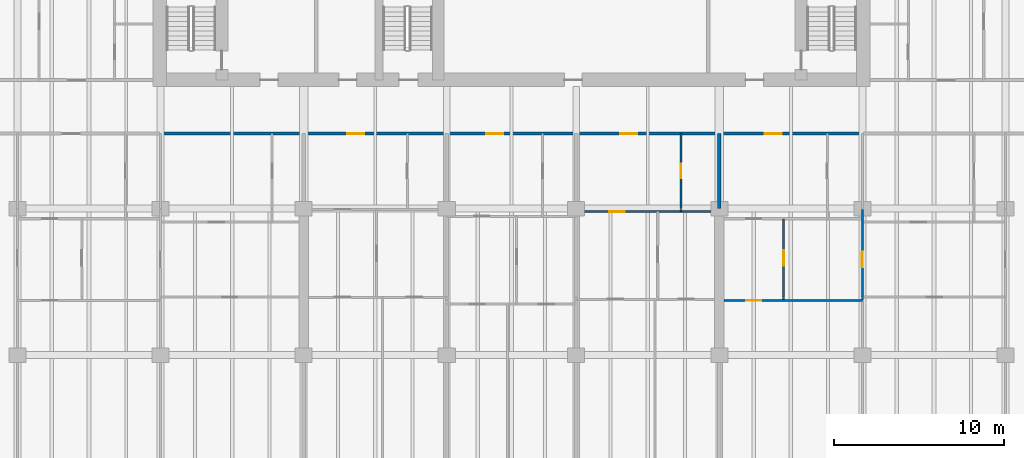
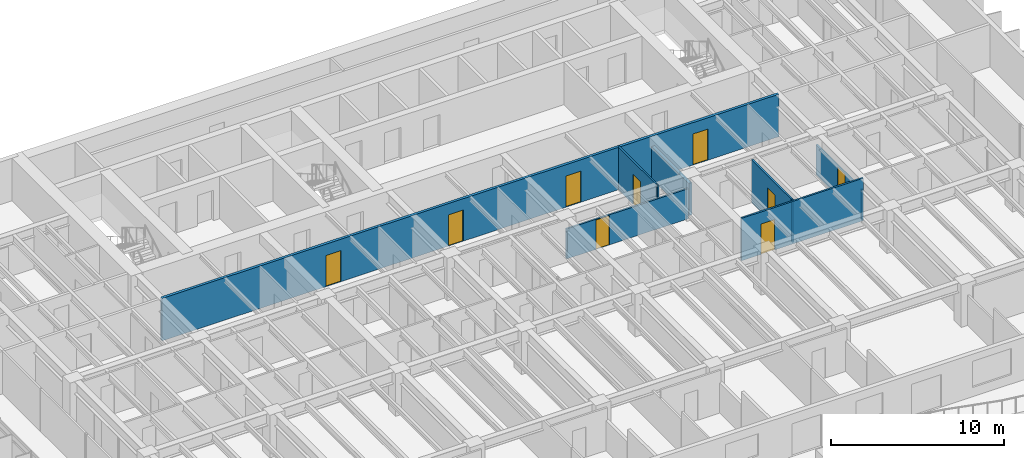
# One storey, part 10 of 19: 10 walls, 9 doors, 9 openings.
"""IFC4 building model written with IfcOpenShell, lengths in metres."""

from ifc_helpers import new_model, si_unit, direction, frame, frame_2d, origin, place, context, subcontext, project, spatial, rectangle, extrude, material, layer, layer_set, type_object, element, fill, save


model = new_model("IFC4")

# Units and contexts
model_context = context("Model", 3, precision=1e-05, world=origin(), true_north=direction((0.0, 1.0)))
body_context = subcontext(model_context, "Body", "Model", "MODEL_VIEW")
ifc_project = project(units=[si_unit("LENGTHUNIT", "METRE"), si_unit("AREAUNIT", "SQUARE_METRE"), si_unit("VOLUMEUNIT", "CUBIC_METRE"), si_unit("PLANEANGLEUNIT", "RADIAN"), si_unit("MASSUNIT", "GRAM", prefix="KILO")], contexts=[model_context])

# Site, building, storey
site_placement = place(None, origin())
site = spatial("IfcSite", under=ifc_project, at=site_placement, CompositionType="ELEMENT")
building_placement = place(site_placement, origin())
building = spatial("IfcBuilding", under=site, at=building_placement, Name="Caelmar Bay Residences", CompositionType="ELEMENT")
storey_placement = place(building_placement, frame((0.0, 0.0, 94.5)))
storey = spatial("IfcBuildingStorey", under=building, at=storey_placement, Name="L25", CompositionType="ELEMENT", Elevation=94.5)

# Wall, openings, doors
ifc_material_1 = material(Name="Double-stud acoustic fire-rated gypsum partition 180 mm")
ifc_layer_1 = layer(ifc_material_1, 0.179931640625)
ifc_layer_set_1 = layer_set([ifc_layer_1], Name="Double-stud acoustic fire-rated gypsum partition 180 mm")
wall_type_1 = type_object("IfcWallType", Name="W-COR-200", PredefinedType="PARTITIONING", material=ifc_layer_set_1)
wall_1_placement = place(storey_placement, frame((18.300048828125, 33.800048828125, 0.0), z_axis=(0.0, 0.0, 1.0), x_axis=(1.0, 0.0, 0.0)))
wall_1 = element("IfcWall", 1, at=wall_1_placement, inside=storey, type_object=wall_type_1, Name="L25 Partition Wall H120", PredefinedType="PARTITIONING", context=body_context, shape_type="SweptSolid", body=[
    extrude(rectangle(XDim=41.199951171875, YDim=0.179931640625, at=frame_2d((20.60009765625, 0.0))), origin(), (0.0, 0.0, 1.0), 3.0),
])
opening_1_placement = place(wall_1_placement, frame((10.945556640625, 0.0, 0.0)))
opening_1 = element("IfcOpeningElement", 2, at=opening_1_placement, cuts=wall_1, Name="Opening D-L25-130", PredefinedType="OPENING", context=body_context, shape_type="SweptSolid", body=[
    extrude(rectangle(XDim=1.0, YDim=2.199951171875, at=frame_2d((0.5, 1.10009765625))), frame((0.0, 0.099853515625, 0.0), z_axis=(0.0, -1.0, 0.0), x_axis=(1.0, 0.0, 0.0)), (0.0, 0.0, 1.0), 0.199951171875),
])
opening_2_placement = place(wall_1_placement, frame((19.112548828125, 0.0, 0.0)))
opening_2 = element("IfcOpeningElement", 3, at=opening_2_placement, cuts=wall_1, Name="Opening D-L25-137", PredefinedType="OPENING", context=body_context, shape_type="SweptSolid", body=[
    extrude(rectangle(XDim=1.0, YDim=2.199951171875, at=frame_2d((0.5, 1.10009765625))), frame((0.0, 0.099853515625, 0.0), z_axis=(0.0, -1.0, 0.0), x_axis=(1.0, 0.0, 0.0)), (0.0, 0.0, 1.0), 0.199951171875),
])
opening_3_placement = place(wall_1_placement, frame((26.9755859375, 0.0, 0.0)))
opening_3 = element("IfcOpeningElement", 4, at=opening_3_placement, cuts=wall_1, Name="Opening D-L25-144", PredefinedType="OPENING", context=body_context, shape_type="SweptSolid", body=[
    extrude(rectangle(XDim=1.0, YDim=2.199951171875, at=frame_2d((0.5, 1.10009765625))), frame((0.0, 0.099853515625, 0.0), z_axis=(0.0, -1.0, 0.0), x_axis=(1.0, 0.0, 0.0)), (0.0, 0.0, 1.0), 0.199951171875),
])
opening_4_placement = place(wall_1_placement, frame((35.469970703125, 0.0, 0.0)))
opening_4 = element("IfcOpeningElement", 5, at=opening_4_placement, cuts=wall_1, Name="Opening D-L25-151", PredefinedType="OPENING", context=body_context, shape_type="SweptSolid", body=[
    extrude(rectangle(XDim=1.0, YDim=2.199951171875, at=frame_2d((0.5, 1.10009765625))), frame((0.0, 0.099853515625, 0.0), z_axis=(0.0, -1.0, 0.0), x_axis=(1.0, 0.0, 0.0)), (0.0, 0.0, 1.0), 0.199951171875),
])
ifc_material_2 = material(Name="Fire-rated steel and walnut architectural door assembly", Category="steel")
ifc_layer_2 = layer(ifc_material_2, 0.050048828125)
ifc_layer_set_2 = layer_set([ifc_layer_2], Name="Fire-rated steel and walnut architectural door assembly")
door_type_1 = type_object("IfcDoorType", Name="D-UNIT-1000", OperationType="NOTDEFINED", PredefinedType="DOOR", material=ifc_layer_set_2)
door_1_placement = place(opening_1_placement, origin())
door_1 = element("IfcDoor", 6, at=door_1_placement, inside=storey, type_object=door_type_1, Name="L25 Residence 02 Apartment Hall Door", OperationType="SINGLE_SWING_LEFT", OverallHeight=2.199951171875, OverallWidth=1.0, PredefinedType="DOOR", context=body_context, shape_type="SweptSolid", body=[
    extrude(rectangle(XDim=1.0, YDim=2.199951171875, at=frame_2d((0.5, 1.10009765625))), frame((0.0, 0.02490234375, 0.0), z_axis=(0.0, -1.0, 0.0), x_axis=(1.0, 0.0, 0.0)), (0.0, 0.0, 1.0), 0.050048828125),
])
fill(opening_1, door_1)
door_2_placement = place(opening_2_placement, origin())
door_2 = element("IfcDoor", 7, at=door_2_placement, inside=storey, type_object=door_type_1, Name="L25 Residence 03 Apartment Hall Door", OperationType="SINGLE_SWING_RIGHT", OverallHeight=2.199951171875, OverallWidth=1.0, PredefinedType="DOOR", context=body_context, shape_type="SweptSolid", body=[
    extrude(rectangle(XDim=1.0, YDim=2.199951171875, at=frame_2d((0.5, 1.10009765625))), frame((0.0, 0.02490234375, 0.0), z_axis=(0.0, -1.0, 0.0), x_axis=(1.0, 0.0, 0.0)), (0.0, 0.0, 1.0), 0.050048828125),
])
fill(opening_2, door_2)
door_3_placement = place(opening_3_placement, origin())
door_3 = element("IfcDoor", 8, at=door_3_placement, inside=storey, type_object=door_type_1, Name="L25 Residence 04 Apartment Hall Door", OperationType="SINGLE_SWING_LEFT", OverallHeight=2.199951171875, OverallWidth=1.0, PredefinedType="DOOR", context=body_context, shape_type="SweptSolid", body=[
    extrude(rectangle(XDim=1.0, YDim=2.199951171875, at=frame_2d((0.5, 1.10009765625))), frame((0.0, 0.02490234375, 0.0), z_axis=(0.0, -1.0, 0.0), x_axis=(1.0, 0.0, 0.0)), (0.0, 0.0, 1.0), 0.050048828125),
])
fill(opening_3, door_3)
door_4_placement = place(opening_4_placement, origin())
door_4 = element("IfcDoor", 9, at=door_4_placement, inside=storey, type_object=door_type_1, Name="L25 Residence 05 Apartment Hall Door", OperationType="SINGLE_SWING_RIGHT", OverallHeight=2.199951171875, OverallWidth=1.0, PredefinedType="DOOR", context=body_context, shape_type="SweptSolid", body=[
    extrude(rectangle(XDim=1.0, YDim=2.199951171875, at=frame_2d((0.5, 1.10009765625))), frame((0.0, 0.02490234375, 0.0), z_axis=(0.0, -1.0, 0.0), x_axis=(1.0, 0.0, 0.0)), (0.0, 0.0, 1.0), 0.050048828125),
])
fill(opening_4, door_4)

# Wall
ifc_material_3 = material(Name="Acoustic metal-stud gypsum partition 120 mm")
ifc_layer_3 = layer(ifc_material_3, 0.1201171875)
ifc_layer_set_3 = layer_set([ifc_layer_3], Name="Acoustic metal-stud gypsum partition 120 mm")
wall_type_2 = type_object("IfcWallType", Name="W-PRT-120", PredefinedType="PARTITIONING", material=ifc_layer_set_3)
wall_2_placement = place(storey_placement, frame((48.85107421875, 29.219970703125, 0.0), z_axis=(0.0, 0.0, 1.0), x_axis=(0.0, 1.0, 0.0)))
element("IfcWall", 10, at=wall_2_placement, inside=storey, type_object=wall_type_2, Name="L25 Partition Wall V065", PredefinedType="PARTITIONING", context=body_context, shape_type="SweptSolid", body=[
    extrude(rectangle(XDim=0.1201171875, YDim=0.1201171875, at=frame_2d((0.06005859375, 0.0))), origin(), (0.0, 0.0, 1.0), 3.0),
])

# Wall, opening, door
wall_3_placement = place(storey_placement, frame((48.85107421875, 29.39990234375, 0.0), z_axis=(0.0, 0.0, 1.0), x_axis=(0.0, 1.0, 0.0)))
wall_3 = element("IfcWall", 11, at=wall_3_placement, inside=storey, type_object=wall_type_2, Name="L25 Partition Wall V066", PredefinedType="PARTITIONING", context=body_context, shape_type="SweptSolid", body=[
    extrude(rectangle(XDim=4.400146484375, YDim=0.1201171875, at=frame_2d((2.2001953125, 0.0))), origin(), (0.0, 0.0, 1.0), 3.0),
])
opening_5_placement = place(wall_3_placement, frame((1.77490234375, 0.0, 0.0)))
opening_5 = element("IfcOpeningElement", 12, at=opening_5_placement, cuts=wall_3, Name="Opening D-L25-145", PredefinedType="OPENING", context=body_context, shape_type="SweptSolid", body=[
    extrude(rectangle(XDim=0.85009765625, YDim=2.10009765625, at=frame_2d((0.425048828125, 1.050048828125))), frame((0.0, 0.070068359375, 0.0), z_axis=(0.0, -1.0, 0.0), x_axis=(1.0, 0.0, 0.0)), (0.0, 0.0, 1.0), 0.14013671875),
])
ifc_material_4 = material(Name="Solid walnut timber interior door leaf and frame", Category="wood")
ifc_layer_4 = layer(ifc_material_4, 0.050048828125)
ifc_layer_set_4 = layer_set([ifc_layer_4], Name="Solid walnut timber interior door leaf and frame")
door_type_2 = type_object("IfcDoorType", Name="D-BATH-850", OperationType="NOTDEFINED", PredefinedType="DOOR", material=ifc_layer_set_4)
door_5_placement = place(opening_5_placement, origin())
door_5 = element("IfcDoor", 13, at=door_5_placement, inside=storey, type_object=door_type_2, Name="L25 Residence 04 Bathroom Door", OperationType="SINGLE_SWING_RIGHT", OverallHeight=2.10009765625, OverallWidth=0.85009765625, PredefinedType="DOOR", context=body_context, shape_type="SweptSolid", body=[
    extrude(rectangle(XDim=0.85009765625, YDim=2.10009765625, at=frame_2d((0.425048828125, 1.050048828125))), frame((0.0, 0.02490234375, 0.0), z_axis=(0.0, -1.0, 0.0), x_axis=(1.0, 0.0, 0.0)), (0.0, 0.0, 1.0), 0.050048828125),
])
fill(opening_5, door_5)

# Wall
wall_4_placement = place(storey_placement, frame((54.8798828125, 24.070068359375, 0.0), z_axis=(0.0, 0.0, 1.0), x_axis=(0.0, 1.0, 0.0)))
element("IfcWall", 14, at=wall_4_placement, inside=storey, type_object=wall_type_2, Name="L25 Partition Wall V073", PredefinedType="PARTITIONING", context=body_context, shape_type="SweptSolid", body=[
    extrude(rectangle(XDim=0.119873046875, YDim=0.1201171875, at=frame_2d((0.06005859375, 0.0))), origin(), (0.0, 0.0, 1.0), 3.0),
])

# Wall, opening, door
wall_5_placement = place(storey_placement, frame((54.8798828125, 24.199951171875, 0.0), z_axis=(0.0, 0.0, 1.0), x_axis=(0.0, 1.0, 0.0)))
wall_5 = element("IfcWall", 15, at=wall_5_placement, inside=storey, type_object=wall_type_2, Name="L25 Partition Wall V074", PredefinedType="PARTITIONING", context=body_context, shape_type="SweptSolid", body=[
    extrude(rectangle(XDim=4.60009765625, YDim=0.1201171875, at=frame_2d((2.300048828125, 0.0))), origin(), (0.0, 0.0, 1.0), 3.0),
])
opening_6_placement = place(wall_5_placement, frame((1.85009765625, 0.0, 0.0)))
opening_6 = element("IfcOpeningElement", 16, at=opening_6_placement, cuts=wall_5, Name="Opening D-L25-154", PredefinedType="OPENING", context=body_context, shape_type="SweptSolid", body=[
    extrude(rectangle(XDim=0.89990234375, YDim=2.14990234375, at=frame_2d((0.449951171875, 1.074951171875))), frame((0.0, 0.070068359375, 0.0), z_axis=(0.0, -1.0, 0.0), x_axis=(1.0, 0.0, 0.0)), (0.0, 0.0, 1.0), 0.14013671875),
])
ifc_layer_5 = layer(ifc_material_4, 0.050048828125)
ifc_layer_set_5 = layer_set([ifc_layer_5], Name="Solid walnut timber interior door leaf and frame")
door_type_3 = type_object("IfcDoorType", Name="D-ROOM-900", OperationType="NOTDEFINED", PredefinedType="DOOR", material=ifc_layer_set_5)
door_6_placement = place(opening_6_placement, origin())
door_6 = element("IfcDoor", 17, at=door_6_placement, inside=storey, type_object=door_type_3, Name="L25 Residence 05 Kitchen Door", OperationType="SINGLE_SWING_LEFT", OverallHeight=2.14990234375, OverallWidth=0.89990234375, PredefinedType="DOOR", context=body_context, shape_type="SweptSolid", body=[
    extrude(rectangle(XDim=0.89990234375, YDim=2.14990234375, at=frame_2d((0.449951171875, 1.074951171875))), frame((0.0, 0.02490234375, 0.0), z_axis=(0.0, -1.0, 0.0), x_axis=(1.0, 0.0, 0.0)), (0.0, 0.0, 1.0), 0.050048828125),
])
fill(opening_6, door_6)

# Wall
wall_6_placement = place(storey_placement, frame((59.5, 24.070068359375, 0.0), z_axis=(0.0, 0.0, 1.0), x_axis=(0.0, 1.0, 0.0)))
element("IfcWall", 18, at=wall_6_placement, inside=storey, type_object=wall_type_2, Name="L25 Partition Wall V080", PredefinedType="PARTITIONING", context=body_context, shape_type="SweptSolid", body=[
    extrude(rectangle(XDim=0.119873046875, YDim=0.1201171875, at=frame_2d((0.06005859375, 0.0))), origin(), (0.0, 0.0, 1.0), 2.1240234375),
])

# Wall, opening, door
wall_7_placement = place(storey_placement, frame((59.5, 24.199951171875, 0.0), z_axis=(0.0, 0.0, 1.0), x_axis=(0.0, 1.0, 0.0)))
wall_7 = element("IfcWall", 19, at=wall_7_placement, inside=storey, type_object=wall_type_2, Name="L25 Partition Wall V081", PredefinedType="PARTITIONING", context=body_context, shape_type="SweptSolid", body=[
    extrude(rectangle(XDim=5.14013671875, YDim=0.1201171875, at=frame_2d((2.570068359375, 0.0))), origin(), (0.0, 0.0, 1.0), 2.1240234375),
])
opening_7_placement = place(wall_7_placement, frame((1.75, 0.0, 0.0)))
opening_7 = element("IfcOpeningElement", 20, at=opening_7_placement, cuts=wall_7, Name="Opening D-L25-156", PredefinedType="OPENING", context=body_context, shape_type="SweptSolid", body=[
    extrude(rectangle(XDim=0.89990234375, YDim=2.073974609375, at=frame_2d((0.449951171875, 1.037109375))), frame((0.0, 0.070068359375, 0.0), z_axis=(0.0, -1.0, 0.0), x_axis=(1.0, 0.0, 0.0)), (0.0, 0.0, 1.0), 0.14013671875),
])
door_7_placement = place(opening_7_placement, origin())
door_7 = element("IfcDoor", 21, at=door_7_placement, inside=storey, type_object=door_type_3, Name="L25 Residence 05 Library Study 1 Door", OperationType="SINGLE_SWING_LEFT", OverallHeight=2.073974609375, OverallWidth=0.89990234375, PredefinedType="DOOR", context=body_context, shape_type="SweptSolid", body=[
    extrude(rectangle(XDim=0.89990234375, YDim=2.073974609375, at=frame_2d((0.449951171875, 1.037109375))), frame((0.0, 0.02490234375, 0.0), z_axis=(0.0, -1.0, 0.0), x_axis=(1.0, 0.0, 0.0)), (0.0, 0.0, 1.0), 0.050048828125),
])
fill(opening_7, door_7)

wall_8_placement = place(storey_placement, frame((51.3701171875, 24.0, 0.0), z_axis=(0.0, 0.0, 1.0), x_axis=(1.0, 0.0, 0.0)))
wall_8 = element("IfcWall", 22, at=wall_8_placement, inside=storey, type_object=wall_type_2, Name="L25 Partition Wall H106", PredefinedType="PARTITIONING", context=body_context, shape_type="SweptSolid", body=[
    extrude(rectangle(XDim=8.1298828125, YDim=0.1201171875, at=frame_2d((4.06494140625, 0.0))), origin(), (0.0, 0.0, 1.0), 3.0),
])
opening_8_placement = place(wall_8_placement, frame((1.304931640625, 0.0, 0.0)))
opening_8 = element("IfcOpeningElement", 23, at=opening_8_placement, cuts=wall_8, Name="Opening D-L25-155", PredefinedType="OPENING", context=body_context, shape_type="SweptSolid", body=[
    extrude(rectangle(XDim=0.89990234375, YDim=2.14990234375, at=frame_2d((0.449951171875, 1.074951171875))), frame((0.0, 0.070068359375, 0.0), z_axis=(0.0, -1.0, 0.0), x_axis=(1.0, 0.0, 0.0)), (0.0, 0.0, 1.0), 0.14013671875),
])
door_8_placement = place(opening_8_placement, origin())
door_8 = element("IfcDoor", 24, at=door_8_placement, inside=storey, type_object=door_type_3, Name="L25 Residence 05 Penthouse Living Salon Door", OperationType="SINGLE_SWING_RIGHT", OverallHeight=2.14990234375, OverallWidth=0.89990234375, PredefinedType="DOOR", context=body_context, shape_type="SweptSolid", body=[
    extrude(rectangle(XDim=0.89990234375, YDim=2.14990234375, at=frame_2d((0.449951171875, 1.074951171875))), frame((0.0, 0.02490234375, 0.0), z_axis=(0.0, -1.0, 0.0), x_axis=(1.0, 0.0, 0.0)), (0.0, 0.0, 1.0), 0.050048828125),
])
fill(opening_8, door_8)

wall_9_placement = place(storey_placement, frame((42.699951171875, 29.219970703125, 0.0), z_axis=(0.0, 0.0, 1.0), x_axis=(1.0, 0.0, 0.0)))
wall_9 = element("IfcWall", 25, at=wall_9_placement, inside=storey, type_object=wall_type_2, Name="L25 Partition Wall H116", PredefinedType="PARTITIONING", context=body_context, shape_type="SweptSolid", body=[
    extrude(rectangle(XDim=8.130126953125, YDim=0.1201171875, at=frame_2d((4.06494140625, 0.0))), origin(), (0.0, 0.0, 1.0), 2.1240234375),
])
opening_9_placement = place(wall_9_placement, frame((1.943115234375, 0.0, 0.0)))
opening_9 = element("IfcOpeningElement", 26, at=opening_9_placement, cuts=wall_9, Name="Opening D-L25-146", PredefinedType="OPENING", context=body_context, shape_type="SweptSolid", body=[
    extrude(rectangle(XDim=0.89990234375, YDim=2.073974609375, at=frame_2d((0.449951171875, 1.037109375))), frame((0.0, 0.070068359375, 0.0), z_axis=(0.0, -1.0, 0.0), x_axis=(1.0, 0.0, 0.0)), (0.0, 0.0, 1.0), 0.14013671875),
])
door_9_placement = place(opening_9_placement, origin())
door_9 = element("IfcDoor", 27, at=door_9_placement, inside=storey, type_object=door_type_3, Name="L25 Residence 04 Kitchen Door", OperationType="SINGLE_SWING_LEFT", OverallHeight=2.073974609375, OverallWidth=0.89990234375, PredefinedType="DOOR", context=body_context, shape_type="SweptSolid", body=[
    extrude(rectangle(XDim=0.89990234375, YDim=2.073974609375, at=frame_2d((0.449951171875, 1.037109375))), frame((0.0, 0.02490234375, 0.0), z_axis=(0.0, -1.0, 0.0), x_axis=(1.0, 0.0, 0.0)), (0.0, 0.0, 1.0), 0.050048828125),
])
fill(opening_9, door_9)

# Wall
ifc_material_5 = material(Name="Acoustic twin-stud fire-rated inter-tenancy partition 200 mm")
ifc_layer_6 = layer(ifc_material_5, 0.199951171875)
ifc_layer_set_6 = layer_set([ifc_layer_6], Name="Acoustic twin-stud fire-rated inter-tenancy partition 200 mm")
wall_type_3 = type_object("IfcWallType", Name="W-PTY-200", PredefinedType="PARTITIONING", material=ifc_layer_set_6)
wall_10_placement = place(storey_placement, frame((51.10009765625, 29.405029296875, 0.0), z_axis=(0.0, 0.0, 1.0), x_axis=(0.0, 1.0, 0.0)))
element("IfcWall", 28, at=wall_10_placement, inside=storey, type_object=wall_type_3, Name="L25 Partition Wall V071", PredefinedType="PARTITIONING", context=body_context, shape_type="SweptSolid", body=[
    extrude(rectangle(XDim=4.39501953125, YDim=0.199951171875, at=frame_2d((2.197509765625, 0.0))), origin(), (0.0, 0.0, 1.0), 2.284912109375),
])

save(model, "model.ifc")
